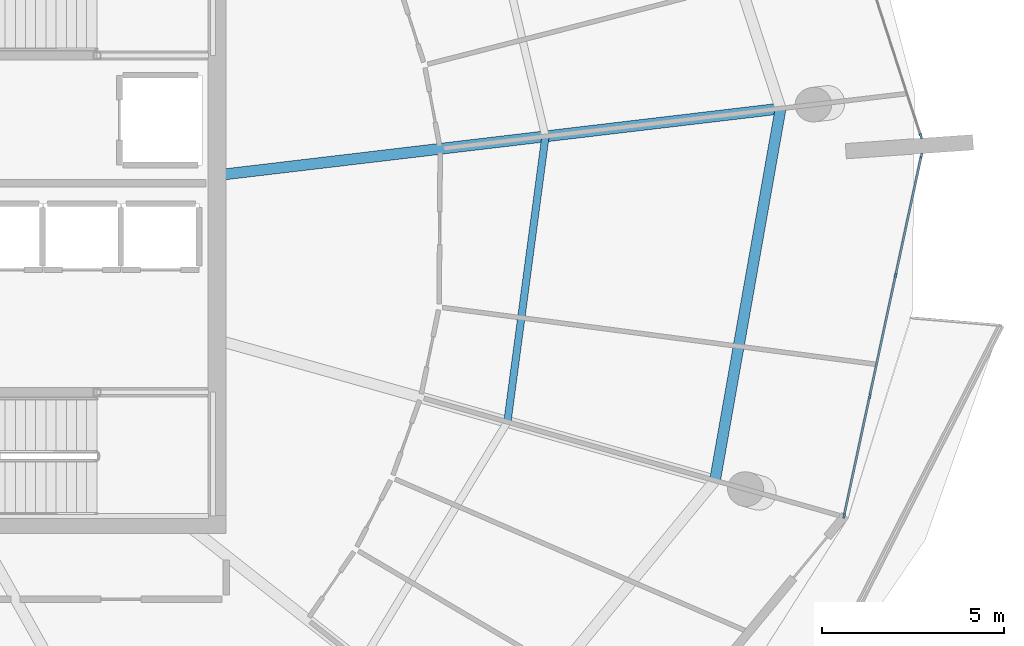
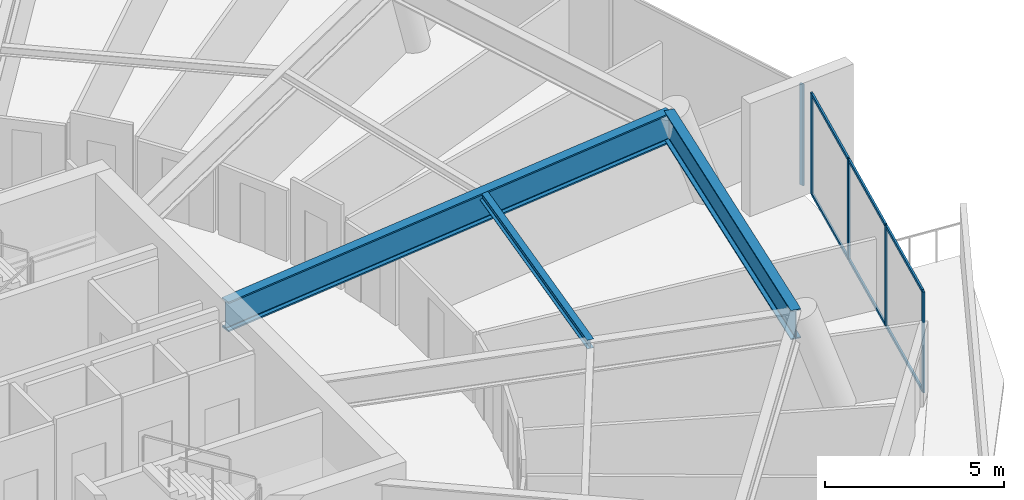
# One storey, part 11 of 30: 11 members, 3 beams, 2 elements without a shape of their own.
"""IFC4 building model written with IfcOpenShell, lengths in metres."""

import ifcopenshell
import ifcopenshell.guid

model = None  # the IFC model being written
_history = None  # IfcOwnerHistory: only IFC2X3 demands one
_inside = {}  # id of a spatial element -> (the spatial element, [elements in it])
_under = {}  # id of a project, library or spatial element -> (it, [spatial elements below it])
_declared = {}  # id of a project -> (the project, [libraries it declares])
_typed = {}  # id of a type object -> (the type object, [elements of that type])
_made_of = {}  # id of a material, layer set ... -> (it, [elements and type objects made of it])


def new_model(schema):
    """Start an empty IFC model of exactly this schema.

    Asked for "IFC4X3", IfcOpenShell would pick the latest addendum, in which some entities
    have other attributes; the version numbers below select the first issue.
    IFC2X3 requires an IfcOwnerHistory on every rooted entity: one is made here for all.
    """
    global model, _history
    if schema == "IFC4X3":
        model = ifcopenshell.file(schema_version=(4, 3, 0, 0))
    else:
        model = ifcopenshell.file(schema=schema)
    _inside.clear()
    _under.clear()
    _declared.clear()
    _typed.clear()
    _made_of.clear()
    _history = None
    if model.schema == "IFC2X3":
        org = make("IfcOrganization", Name="unknown")
        user = make(
            "IfcPersonAndOrganization",
            ThePerson=make("IfcPerson", FamilyName="unknown"),
            TheOrganization=org,
        )
        app = make(
            "IfcApplication",
            ApplicationDeveloper=org,
            Version="unknown",
            ApplicationFullName="unknown",
            ApplicationIdentifier="unknown",
        )
        _history = make(
            "IfcOwnerHistory",
            OwningUser=user,
            OwningApplication=app,
            ChangeAction="ADDED",
            CreationDate=0,
        )
    return model


def make(cls, **values):
    """One entity of the class cls with the attributes given. An attribute that is None is left unset."""
    return model.create_entity(
        cls, **{name: value for name, value in values.items() if value is not None}
    )


def rooted(cls, **values):
    """An entity with a GlobalId (a new one), such as an element, a storey or a relation."""
    return make(cls, GlobalId=ifcopenshell.guid.new(), OwnerHistory=_history, **values)


def si_unit(unit_type, name, prefix=None):
    """IfcSIUnit, for example si_unit("LENGTHUNIT", "METRE", prefix="MILLI")."""
    return make("IfcSIUnit", UnitType=unit_type, Prefix=prefix, Name=name)


def assignment(units):
    """IfcUnitAssignment: the units of a project."""
    return None if units is None else make("IfcUnitAssignment", Units=units)


def point(xyz):
    """IfcCartesianPoint."""
    return None if xyz is None else make("IfcCartesianPoint", Coordinates=xyz)


def direction(xyz):
    """IfcDirection."""
    return None if xyz is None else make("IfcDirection", DirectionRatios=xyz)


def frame(location, z_axis=None, x_axis=None):
    """IfcAxis2Placement3D, a coordinate frame: its origin and axes. An axis left out is left unset."""
    return make(
        "IfcAxis2Placement3D",
        Location=point(location),
        Axis=direction(z_axis),
        RefDirection=direction(x_axis),
    )


def frame_2d(location, x_axis=None):
    """IfcAxis2Placement2D, a coordinate frame in the plane: its origin and x axis."""
    return make(
        "IfcAxis2Placement2D", Location=point(location), RefDirection=direction(x_axis)
    )


def origin():
    """The frame at (0, 0, 0) with its axes left unset."""
    return frame((0.0, 0.0, 0.0))


def origin_2d():
    """The frame at (0, 0) in the plane with its x axis left unset."""
    return frame_2d((0.0, 0.0))


def place(relative_to, where):
    """IfcLocalPlacement: puts the frame where relative to a parent placement (None: the world)."""
    return make(
        "IfcLocalPlacement", PlacementRelTo=relative_to, RelativePlacement=where
    )


def context(
    kind, dimensions, precision=None, world=None, true_north=None, identifier=None
):
    """IfcGeometricRepresentationContext, for example the 3D "Model" context."""
    return make(
        "IfcGeometricRepresentationContext",
        ContextIdentifier=identifier,
        ContextType=kind,
        CoordinateSpaceDimension=dimensions,
        Precision=precision,
        WorldCoordinateSystem=world,
        TrueNorth=true_north,
    )


def subcontext(parent, identifier, kind, view, scale=None):
    """IfcGeometricRepresentationSubContext, for example "Body" below "Model"."""
    return make(
        "IfcGeometricRepresentationSubContext",
        ContextIdentifier=identifier,
        ContextType=kind,
        ParentContext=parent,
        TargetScale=scale,
        TargetView=view,
    )


def project(units=None, contexts=None):
    """IfcProject with its units and contexts."""
    return rooted(
        "IfcProject",
        Name="project",
        RepresentationContexts=contexts,
        UnitsInContext=assignment(units),
    )


def spatial(cls, under=None, at=None, **own):
    """A site, building, storey or space (cls), placed at a placement, below another one or the project."""
    s = rooted(cls, ObjectPlacement=at, **own)
    if under is not None:
        _under.setdefault(under.id(), (under, []))[1].append(s)
    return s


def profile(cls, at=None, kind="AREA", **sizes):
    """A parametric profile (cls). Its sizes go by their IFC names, for example OverallWidth=200.0."""
    return make(cls, ProfileType=kind, Position=at, **sizes)


def rectangle(**sizes):
    """IfcRectangleProfileDef."""
    return profile("IfcRectangleProfileDef", **sizes)


def i_section(**sizes):
    """IfcIShapeProfileDef."""
    return profile("IfcIShapeProfileDef", **sizes)


def extrude(swept, where, along, depth):
    """IfcExtrudedAreaSolid: the profile swept, set in the frame where, extruded along a direction by depth."""
    return make(
        "IfcExtrudedAreaSolid",
        SweptArea=swept,
        Position=where,
        ExtrudedDirection=direction(along),
        Depth=depth,
    )


def shape(context_of_items, identifier, shape_type, items):
    """IfcShapeRepresentation: the items that make up one representation, for example the "Body"."""
    return make(
        "IfcShapeRepresentation",
        ContextOfItems=context_of_items,
        RepresentationIdentifier=identifier,
        RepresentationType=shape_type,
        Items=items,
    )


def material(Name=None, Category=None):
    """IfcMaterial."""
    return make("IfcMaterial", Name=Name, Category=Category)


def layer(
    of_material, thickness, ventilated=None, Name=None, Category=None, Priority=None
):
    """IfcMaterialLayer: one layer of a wall or slab, of a material (None: an air gap)."""
    return make(
        "IfcMaterialLayer",
        Material=of_material,
        LayerThickness=thickness,
        IsVentilated=ventilated,
        Name=Name,
        Category=Category,
        Priority=Priority,
    )


def layer_set(layers, Name=None):
    """IfcMaterialLayerSet."""
    return make("IfcMaterialLayerSet", MaterialLayers=layers, LayerSetName=Name)


def material_profile(
    of_material, cross_section, Name=None, Category=None, Priority=None
):
    """IfcMaterialProfile: a cross section and its material."""
    return make(
        "IfcMaterialProfile",
        Name=Name,
        Material=of_material,
        Profile=cross_section,
        Priority=Priority,
        Category=Category,
    )


def profile_set(profiles, Name=None, composite=None):
    """IfcMaterialProfileSet."""
    return make(
        "IfcMaterialProfileSet",
        Name=Name,
        MaterialProfiles=profiles,
        CompositeProfile=composite,
    )


def made_of(thing, what):
    """Note that an element or type object is made of a material, layer set ...; save() writes the relation."""
    if what is not None:
        _made_of.setdefault(what.id(), (what, []))[1].append(thing)
    return thing


def type_object(cls, material=None, **own):
    """A type object (cls), such as IfcWallType, which elements share."""
    return made_of(rooted(cls, **own), material)


def element(
    cls,
    number,
    at=None,
    inside=None,
    cuts=None,
    type_object=None,
    material=None,
    context=None,
    identifier="Body",
    shape_type=None,
    held_by="IfcProductDefinitionShape",
    body=None,
    shapes=None,
    **own,
):
    """One element of the class cls, such as IfcWall. Its Tag is "e" and its number.

    at: its placement. inside: the storey or other place that contains it. cuts: it is an
    opening in that element (IfcRelVoidsElement). A single representation is given by context,
    identifier, shape_type and body (its items); several are given by shapes. held_by: the class
    of the entity that holds the representations. save() writes the other relations.
    """
    e = rooted(cls, Tag="e%d" % number, ObjectPlacement=at, **own)
    if body is not None:
        shapes = [shape(context, identifier, shape_type, body)]
    if shapes is not None:
        e.Representation = make(held_by, Representations=shapes)
    if inside is not None:
        _inside.setdefault(inside.id(), (inside, []))[1].append(e)
    if cuts is not None:
        rooted(
            "IfcRelVoidsElement", RelatingBuildingElement=cuts, RelatedOpeningElement=e
        )
    if type_object is not None:
        _typed.setdefault(type_object.id(), (type_object, []))[1].append(e)
    return made_of(e, material)


def aggregate(whole, parts):
    """IfcRelAggregates: a whole, such as a stair, and the parts it consists of."""
    return rooted("IfcRelAggregates", RelatingObject=whole, RelatedObjects=parts)


def save(model, path):
    """Write the relations noted so far, then the file.

    IfcRelAggregates (storeys below a building ...), IfcRelContainedInSpatialStructure (elements
    in a storey), IfcRelDefinesByType, IfcRelAssociatesMaterial and IfcRelDeclares: one each for
    every whole, place, type object, material and project.
    """
    for whole, parts in _under.values():
        aggregate(whole, parts)
    for where, things in _inside.values():
        rooted(
            "IfcRelContainedInSpatialStructure",
            RelatedElements=things,
            RelatingStructure=where,
        )
    for kind, things in _typed.values():
        rooted("IfcRelDefinesByType", RelatedObjects=things, RelatingType=kind)
    for what, things in _made_of.values():
        rooted("IfcRelAssociatesMaterial", RelatedObjects=things, RelatingMaterial=what)
    for by, libraries in _declared.values():
        rooted("IfcRelDeclares", RelatingContext=by, RelatedDefinitions=libraries)
    model.write(path)


model = new_model("IFC4")

# Units and contexts
model_context = context("Model", 3, precision=1e-05, world=origin(), true_north=direction((0.0, 1.0)))
body_context = subcontext(model_context, "Body", "Model", "MODEL_VIEW")
ifc_project = project(units=[si_unit("LENGTHUNIT", "METRE"), si_unit("AREAUNIT", "SQUARE_METRE"), si_unit("VOLUMEUNIT", "CUBIC_METRE"), si_unit("PLANEANGLEUNIT", "RADIAN"), si_unit("MASSUNIT", "GRAM", prefix="KILO")], contexts=[model_context])

# Site, building, storey
site_placement = place(None, origin())
site = spatial("IfcSite", under=ifc_project, at=site_placement, CompositionType="ELEMENT")
building_placement = place(site_placement, origin())
building = spatial("IfcBuilding", under=site, at=building_placement, Name="Kazma Halo Residences", CompositionType="ELEMENT")
storey_placement = place(building_placement, frame((0.0, 0.0, 302.14990234375)))
storey = spatial("IfcBuildingStorey", under=building, at=storey_placement, Name="L76", CompositionType="ELEMENT", Elevation=302.14990234375)

# Beams
ifc_material_1 = material(Name="Steel S355", Category="steel")
ifc_material_profile_1 = material_profile(ifc_material_1, i_section(OverallWidth=0.202880859375, OverallDepth=0.302978515625, WebThickness=0.007568359375, FlangeThickness=0.01318359375, FilletRadius=0.013916015625, at=origin_2d()), Name="W310x60")
ifc_profile_set_1 = profile_set([ifc_material_profile_1], Name="Steel S355")
beam_type_1 = type_object("IfcBeamType", Name="BM-SEC-W310A", PredefinedType="JOIST", material=ifc_profile_set_1)
beam_1_placement = place(storey_placement, frame((67.2705078125, 36.565185546875, 3.298583984375), z_axis=(0.132036324551, 0.991244878423, 0.0), x_axis=(-0.991244878423, 0.132036324551, 0.0)))
element("IfcBeam", 1, at=beam_1_placement, inside=storey, type_object=beam_type_1, Name="L76 circumferential floor joist 15", PredefinedType="JOIST", context=body_context, shape_type="SweptSolid", body=[
    extrude(i_section(OverallWidth=0.202880859375, OverallDepth=0.302978515625, WebThickness=0.007568359375, FlangeThickness=0.01318359375, FilletRadius=0.013916015625, at=origin_2d()), origin(), (0.0, 0.0, 1.0), 7.908447265625),
])
ifc_material_profile_2 = material_profile(ifc_material_1, i_section(OverallWidth=0.302001953125, OverallDepth=1.01806640625, WebThickness=0.021484375, FlangeThickness=0.049072265625, FilletRadius=0.028076171875, at=origin_2d()), Name="W1000x443")
ifc_profile_set_2 = profile_set([ifc_material_profile_2], Name="Steel S355")
beam_type_2 = type_object("IfcBeamType", Name="BM-TRANS-W1000A", PredefinedType="BEAM", material=ifc_profile_set_2)
beam_2_placement = place(storey_placement, frame((59.39990234375, 43.349365234375, 2.941162109375), z_axis=(0.993069071224, 0.11753220741, 0.0), x_axis=(-0.11753220741, 0.993069071224, 0.0)))
element("IfcBeam", 2, at=beam_2_placement, inside=storey, type_object=beam_type_2, Name="L76 podium radial transfer girder 16", PredefinedType="BEAM", context=body_context, shape_type="SweptSolid", body=[
    extrude(i_section(OverallWidth=0.302001953125, OverallDepth=1.01806640625, WebThickness=0.021484375, FlangeThickness=0.049072265625, FilletRadius=0.028076171875, at=origin_2d()), origin(), (0.0, 0.0, 1.0), 15.477294921875),
])
ifc_material_profile_3 = material_profile(ifc_material_1, i_section(OverallWidth=0.300048828125, OverallDepth=1.0, WebThickness=0.01904296875, FlangeThickness=0.0400390625, FilletRadius=0.02587890625, at=origin_2d()), Name="W1000x371")
ifc_profile_set_3 = profile_set([ifc_material_profile_3], Name="Steel S355")
beam_type_3 = type_object("IfcBeamType", Name="BM-TRANS-W1000B", PredefinedType="BEAM", material=ifc_profile_set_3)
beam_3_placement = place(storey_placement, frame((72.9697265625, 34.957763671875, 2.9501953125), z_axis=(0.173636226699, 0.984809860216, 0.0), x_axis=(-0.984809860216, 0.173636226699, 0.0)))
element("IfcBeam", 3, at=beam_3_placement, inside=storey, type_object=beam_type_3, Name="L76 perimeter ring beam 15", PredefinedType="BEAM", context=body_context, shape_type="SweptSolid", body=[
    extrude(i_section(OverallWidth=0.300048828125, OverallDepth=1.0, WebThickness=0.01904296875, FlangeThickness=0.0400390625, FilletRadius=0.02587890625, at=origin_2d()), origin(), (0.0, 0.0, 1.0), 10.3681640625),
])

# Curtain wall, members
ifc_material_2 = material(Name="Aluminium AW-6063 T6 and Triple-Silver Low-E Glass", Category="aluminium")
ifc_layer = layer(ifc_material_2, 0.139892578125)
ifc_layer_set = layer_set([ifc_layer], Name="Aluminium AW-6063 T6 and Triple-Silver Low-E Glass")
curtain_wall_type = type_object("IfcCurtainWallType", Name="CW-SYS-5", PredefinedType="NOTDEFINED", material=ifc_layer_set)
curtain_wall_1_placement = place(storey_placement, origin())
curtain_wall_1 = element("IfcCurtainWall", 4, at=curtain_wall_1_placement, inside=storey, type_object=curtain_wall_type, Name="L76 unitised curtain wall B15", PredefinedType="NOTDEFINED")
ifc_material_3 = material(Name="Aluminium AW-6063 T6", Category="aluminium")
ifc_material_profile_4 = material_profile(ifc_material_3, rectangle(XDim=0.06005859375, YDim=0.139892578125, at=origin_2d()), Name="CWM-60x140")
ifc_profile_set_4 = profile_set([ifc_material_profile_4], Name="Aluminium AW-6063 T6")
member_type_1 = type_object("IfcMemberType", Name="CW-SYS-5-MUL", PredefinedType="MULLION", material=ifc_profile_set_4)
member_1_placement = place(storey_placement, frame((76.514892578125, 33.989013671875, 0.0), z_axis=(0.0, 0.0, 1.0), x_axis=(-0.97777491373, 0.209657382603, 0.0)))
member_1 = element("IfcMember", 5, at=member_1_placement, type_object=member_type_1, Name="CWS-5 mullion 1", PredefinedType="MULLION", context=body_context, shape_type="SweptSolid", body=[
    extrude(rectangle(XDim=0.06005859375, YDim=0.139892578125, at=origin_2d()), origin(), (0.0, 0.0, 1.0), 3.4501953125),
])
member_2_placement = place(storey_placement, frame((77.218994140625, 37.2734375, 0.0), z_axis=(0.0, 0.0, 1.0), x_axis=(-0.97777491373, 0.209657382603, 0.0)))
member_2 = element("IfcMember", 6, at=member_2_placement, type_object=member_type_1, Name="CWS-5 mullion 2", PredefinedType="MULLION", context=body_context, shape_type="SweptSolid", body=[
    extrude(rectangle(XDim=0.06005859375, YDim=0.139892578125, at=origin_2d()), origin(), (0.0, 0.0, 1.0), 3.4501953125),
])
member_3_placement = place(storey_placement, frame((77.9296875, 40.587158203125, 0.0), z_axis=(0.0, 0.0, 1.0), x_axis=(-0.97777491373, 0.209657382603, 0.0)))
member_3 = element("IfcMember", 7, at=member_3_placement, type_object=member_type_1, Name="CWS-5 mullion 3", PredefinedType="MULLION", context=body_context, shape_type="SweptSolid", body=[
    extrude(rectangle(XDim=0.06005859375, YDim=0.139892578125, at=origin_2d()), origin(), (0.0, 0.0, 1.0), 3.4501953125),
])
member_4_placement = place(storey_placement, frame((78.6337890625, 43.87158203125, 0.0), z_axis=(0.0, 0.0, 1.0), x_axis=(-0.97777491373, 0.209657382603, 0.0)))
member_4 = element("IfcMember", 8, at=member_4_placement, type_object=member_type_1, Name="CWS-5 mullion 4", PredefinedType="MULLION", context=body_context, shape_type="SweptSolid", body=[
    extrude(rectangle(XDim=0.06005859375, YDim=0.139892578125, at=origin_2d()), origin(), (0.0, 0.0, 1.0), 3.4501953125),
])

# Curtain wall, member
curtain_wall_2_placement = place(storey_placement, origin())
curtain_wall_2 = element("IfcCurtainWall", 9, at=curtain_wall_2_placement, inside=storey, type_object=curtain_wall_type, Name="L76 unitised curtain wall B16", PredefinedType="NOTDEFINED")
member_5_placement = place(storey_placement, frame((78.622802734375, 44.412353515625, 0.0), z_axis=(0.0, 0.0, 1.0), x_axis=(-0.951058464359, -0.309010998786, 0.0)))
member_5 = element("IfcMember", 10, at=member_5_placement, type_object=member_type_1, Name="CWS-5 mullion 1", PredefinedType="MULLION", context=body_context, shape_type="SweptSolid", body=[
    extrude(rectangle(XDim=0.06005859375, YDim=0.139892578125, at=origin_2d()), origin(), (0.0, 0.0, 1.0), 3.4501953125),
])
aggregate(curtain_wall_2, [member_5])

# Member
ifc_material_profile_5 = material_profile(ifc_material_3, rectangle(XDim=0.06005859375, YDim=0.10498046875, at=origin_2d()), Name="CWT-60x105")
ifc_profile_set_5 = profile_set([ifc_material_profile_5], Name="Aluminium AW-6063 T6")
member_type_2 = type_object("IfcMemberType", Name="CW-SYS-5-TRN", PredefinedType="USERDEFINED", material=ifc_profile_set_5)
member_6_placement = place(storey_placement, frame((76.52099609375, 34.0185546875, 0.030029296875), z_axis=(0.209660493552, 0.977774246666, 0.0), x_axis=(-0.977774246666, 0.209660493552, 0.0)))
member_6 = element("IfcMember", 11, at=member_6_placement, type_object=member_type_2, Name="CWS-5 transom 1.1", ObjectType="TRANSOM", PredefinedType="USERDEFINED", context=body_context, shape_type="SweptSolid", body=[
    extrude(rectangle(XDim=0.06005859375, YDim=0.10498046875, at=origin_2d()), origin(), (0.0, 0.0, 1.0), 3.298828125),
])

member_7_placement = place(storey_placement, frame((76.52099609375, 34.0185546875, 3.420166015625), z_axis=(0.209660493552, 0.977774246666, 0.0), x_axis=(-0.977774246666, 0.209660493552, 0.0)))
member_7 = element("IfcMember", 12, at=member_7_placement, type_object=member_type_2, Name="CWS-5 transom 1.2", ObjectType="TRANSOM", PredefinedType="USERDEFINED", context=body_context, shape_type="SweptSolid", body=[
    extrude(rectangle(XDim=0.06005859375, YDim=0.10498046875, at=origin_2d()), origin(), (0.0, 0.0, 1.0), 3.298828125),
])

member_8_placement = place(storey_placement, frame((77.225341796875, 37.302734375, 0.030029296875), z_axis=(0.209664309019, 0.977773428522, 0.0), x_axis=(-0.977773428522, 0.209664309019, 0.0)))
member_8 = element("IfcMember", 13, at=member_8_placement, type_object=member_type_2, Name="CWS-5 transom 2.1", ObjectType="TRANSOM", PredefinedType="USERDEFINED", context=body_context, shape_type="SweptSolid", body=[
    extrude(rectangle(XDim=0.06005859375, YDim=0.10498046875, at=origin_2d()), origin(), (0.0, 0.0, 1.0), 3.3291015625),
])

member_9_placement = place(storey_placement, frame((77.225341796875, 37.302734375, 3.420166015625), z_axis=(0.209664309019, 0.977773428522, 0.0), x_axis=(-0.977773428522, 0.209664309019, 0.0)))
member_9 = element("IfcMember", 14, at=member_9_placement, type_object=member_type_2, Name="CWS-5 transom 2.2", ObjectType="TRANSOM", PredefinedType="USERDEFINED", context=body_context, shape_type="SweptSolid", body=[
    extrude(rectangle(XDim=0.06005859375, YDim=0.10498046875, at=origin_2d()), origin(), (0.0, 0.0, 1.0), 3.3291015625),
])

member_10_placement = place(storey_placement, frame((77.935791015625, 40.616455078125, 0.030029296875), z_axis=(0.209645323239, 0.977777499457, 0.0), x_axis=(-0.977777499457, 0.209645323239, 0.0)))
member_10 = element("IfcMember", 15, at=member_10_placement, type_object=member_type_2, Name="CWS-5 transom 3.1", ObjectType="TRANSOM", PredefinedType="USERDEFINED", context=body_context, shape_type="SweptSolid", body=[
    extrude(rectangle(XDim=0.06005859375, YDim=0.10498046875, at=origin_2d()), origin(), (0.0, 0.0, 1.0), 3.299072265625),
])

member_11_placement = place(storey_placement, frame((77.935791015625, 40.616455078125, 3.420166015625), z_axis=(0.209645323239, 0.977777499457, 0.0), x_axis=(-0.977777499457, 0.209645323239, 0.0)))
member_11 = element("IfcMember", 16, at=member_11_placement, type_object=member_type_2, Name="CWS-5 transom 3.2", ObjectType="TRANSOM", PredefinedType="USERDEFINED", context=body_context, shape_type="SweptSolid", body=[
    extrude(rectangle(XDim=0.06005859375, YDim=0.10498046875, at=origin_2d()), origin(), (0.0, 0.0, 1.0), 3.299072265625),
])

aggregate(curtain_wall_1, [member_1, member_2, member_3, member_4, member_6, member_7, member_8, member_9, member_10, member_11])

save(model, "model.ifc")
